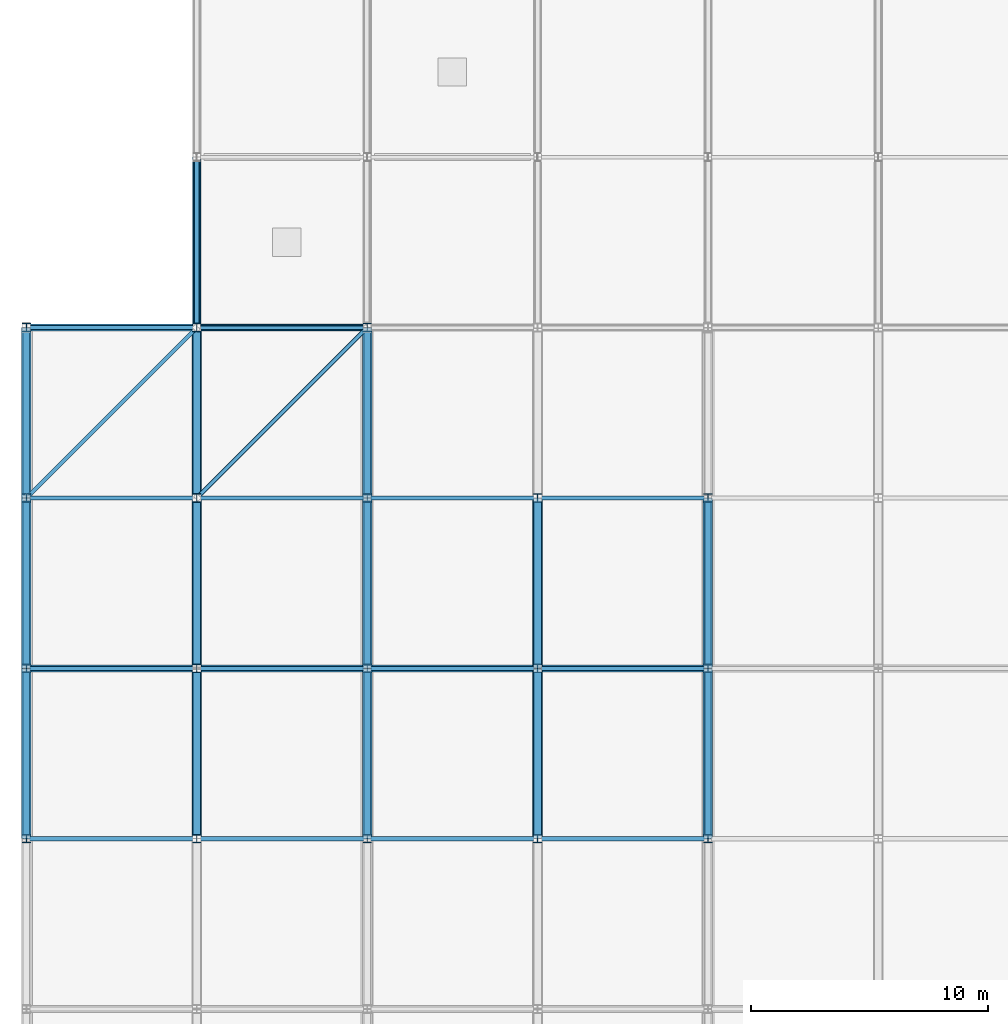
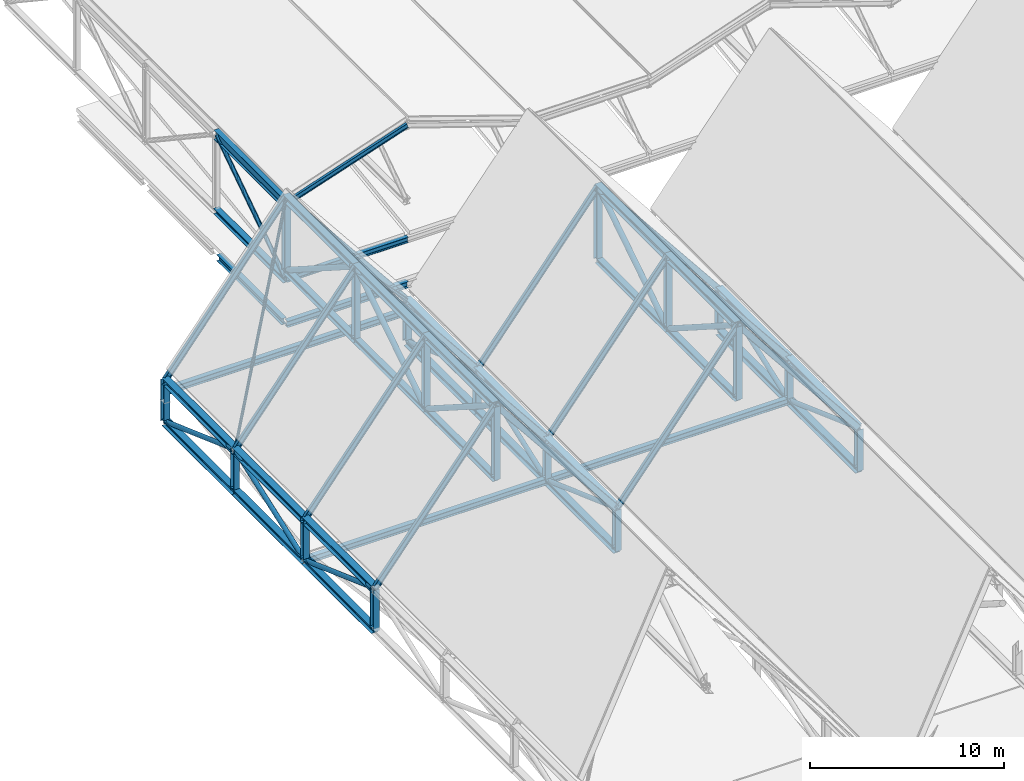
# One storey, part 23 of 60: 77 members, 6 beams.
"""IFC4 building model written with IfcOpenShell, lengths in metres."""

from ifc_helpers import new_model, si_unit, direction, frame, origin, origin_2d, place, context, subcontext, project, spatial, hollow_circle, i_section, extrude, material, material_profile, profile_set, type_object, element, save


model = new_model("IFC4")

# Units and contexts
model_context = context("Model", 3, precision=1e-05, world=origin(), true_north=direction((0.0, 1.0)))
body_context = subcontext(model_context, "Body", "Model", "MODEL_VIEW")
ifc_project = project(units=[si_unit("LENGTHUNIT", "METRE"), si_unit("AREAUNIT", "SQUARE_METRE"), si_unit("VOLUMEUNIT", "CUBIC_METRE"), si_unit("PLANEANGLEUNIT", "RADIAN"), si_unit("MASSUNIT", "GRAM", prefix="KILO")], contexts=[model_context])

# Site, building, storey
site_placement = place(None, origin())
site = spatial("IfcSite", under=ifc_project, at=site_placement, CompositionType="ELEMENT")
building_placement = place(site_placement, origin())
building = spatial("IfcBuilding", under=site, at=building_placement, Name="Vesperath Aquatics Centre", CompositionType="ELEMENT")
storey_placement = place(building_placement, frame((0.0, 0.0, 27.60009765625)))
storey = spatial("IfcBuildingStorey", under=building, at=storey_placement, Name="RF", CompositionType="ELEMENT", Elevation=27.60009765625)

# Beams
ifc_material_1 = material(Name="Steel Q355C", Category="steel")
ifc_material_profile_1 = material_profile(ifc_material_1, i_section(OverallWidth=0.300048828125, OverallDepth=0.389892578125, WebThickness=0.010009765625, FlangeThickness=0.01611328125, FilletRadius=0.02197265625, at=origin_2d()), Name="HM 390x300x10x16")
ifc_profile_set_1 = profile_set([ifc_material_profile_1], Name="Steel Q355C")
beam_type_1 = type_object("IfcBeamType", Name="BM-RB01", PredefinedType="BEAM", material=ifc_profile_set_1)
beam_1_placement = place(storey_placement, frame((7.2099609375, 86.39990234375, -8.755126953125), z_axis=(1.0, 0.0, 0.0), x_axis=(0.0, 1.0, 0.0)))
element("IfcBeam", 1, at=beam_1_placement, inside=storey, type_object=beam_type_1, Name="Flat Roof Girder B11 RF N 2-3", PredefinedType="BEAM", context=body_context, shape_type="SweptSolid", body=[
    extrude(i_section(OverallWidth=0.300048828125, OverallDepth=0.389892578125, WebThickness=0.010009765625, FlangeThickness=0.01611328125, FilletRadius=0.02197265625, at=origin_2d()), origin(), (0.0, 0.0, 1.0), 7.179931640625),
])
beam_2_placement = place(storey_placement, frame((7.199951171875, 86.614013671875, -8.755126953125), z_axis=(0.0, 1.0, 0.0), x_axis=(-1.0, 0.0, 0.0)))
element("IfcBeam", 2, at=beam_2_placement, inside=storey, type_object=beam_type_1, Name="Flat Roof Girder B11 RF 2 N-P", PredefinedType="BEAM", context=body_context, shape_type="SweptSolid", body=[
    extrude(i_section(OverallWidth=0.300048828125, OverallDepth=0.389892578125, WebThickness=0.010009765625, FlangeThickness=0.01611328125, FilletRadius=0.02197265625, at=origin_2d()), origin(), (0.0, 0.0, 1.0), 6.68603515625),
])
ifc_material_profile_2 = material_profile(ifc_material_1, i_section(OverallWidth=0.300048828125, OverallDepth=0.389892578125, WebThickness=0.010009765625, FlangeThickness=0.01611328125, FilletRadius=0.02197265625, at=origin_2d()), Name="HM 390x300x10x16")
ifc_profile_set_2 = profile_set([ifc_material_profile_2], Name="Steel Q355C")
beam_type_2 = type_object("IfcBeamType", Name="BM-RB02", PredefinedType="BEAM", material=ifc_profile_set_2)
beam_3_placement = place(storey_placement, frame((0.0, 72.0, -12.400146484375), z_axis=(1.0, 0.0, 0.0), x_axis=(0.0, 1.0, 0.0)))
element("IfcBeam", 3, at=beam_3_placement, inside=storey, type_object=beam_type_2, Name="Natatorium Roof Deck Support Beam B11 G1-72.0", PredefinedType="BEAM", context=body_context, shape_type="SweptSolid", body=[
    extrude(i_section(OverallWidth=0.300048828125, OverallDepth=0.389892578125, WebThickness=0.010009765625, FlangeThickness=0.01611328125, FilletRadius=0.02197265625, at=origin_2d()), origin(), (0.0, 0.0, 1.0), 14.39990234375),
])
beam_4_placement = place(storey_placement, frame((14.39990234375, 72.0, -12.400146484375), z_axis=(1.0, 0.0, 0.0), x_axis=(0.0, 1.0, 0.0)))
element("IfcBeam", 4, at=beam_4_placement, inside=storey, type_object=beam_type_2, Name="Natatorium Roof Deck Support Beam B11 G2-72.0", PredefinedType="BEAM", context=body_context, shape_type="SweptSolid", body=[
    extrude(i_section(OverallWidth=0.300048828125, OverallDepth=0.389892578125, WebThickness=0.010009765625, FlangeThickness=0.01611328125, FilletRadius=0.02197265625, at=origin_2d()), origin(), (0.0, 0.0, 1.0), 14.400146484375),
])
ifc_material_profile_3 = material_profile(ifc_material_1, i_section(OverallWidth=0.300048828125, OverallDepth=0.389892578125, WebThickness=0.010009765625, FlangeThickness=0.01611328125, FilletRadius=0.02197265625, at=origin_2d()), Name="HM 390x300x10x16")
ifc_profile_set_3 = profile_set([ifc_material_profile_3], Name="Steel Q355C")
beam_type_3 = type_object("IfcBeamType", Name="BM-RB03", PredefinedType="BEAM", material=ifc_profile_set_3)
beam_5_placement = place(storey_placement, frame((0.0, 86.39990234375, -10.478759765625), z_axis=(1.0, 0.0, 0.0), x_axis=(0.0, 1.0, 0.0)))
element("IfcBeam", 5, at=beam_5_placement, inside=storey, type_object=beam_type_3, Name="Natatorium Roof Deck Support Beam B11 G1-86.4", PredefinedType="BEAM", context=body_context, shape_type="SweptSolid", body=[
    extrude(i_section(OverallWidth=0.300048828125, OverallDepth=0.389892578125, WebThickness=0.010009765625, FlangeThickness=0.01611328125, FilletRadius=0.02197265625, at=origin_2d()), origin(), (0.0, 0.0, 1.0), 14.39990234375),
])
ifc_material_profile_4 = material_profile(ifc_material_1, i_section(OverallWidth=0.25, OverallDepth=0.340087890625, WebThickness=0.009033203125, FlangeThickness=0.013916015625, FilletRadius=0.02001953125, at=origin_2d()), Name="HM 340x250x9x14")
ifc_profile_set_4 = profile_set([ifc_material_profile_4], Name="Steel Q355C")
beam_type_4 = type_object("IfcBeamType", Name="BM-RB07", PredefinedType="BEAM", material=ifc_profile_set_4)
beam_6_placement = place(storey_placement, frame((7.199951171875, 86.39990234375, -5.9501953125), z_axis=(1.0, 0.0, 0.0), x_axis=(0.0, 1.0, 0.0)))
element("IfcBeam", 6, at=beam_6_placement, inside=storey, type_object=beam_type_4, Name="Diving Roof Support Beam B12 South 2", PredefinedType="BEAM", context=body_context, shape_type="SweptSolid", body=[
    extrude(i_section(OverallWidth=0.25, OverallDepth=0.340087890625, WebThickness=0.009033203125, FlangeThickness=0.013916015625, FilletRadius=0.02001953125, at=origin_2d()), origin(), (0.0, 0.0, 1.0), 7.199951171875),
])

# Members
ifc_material_2 = material(Name="Steel Q355D", Category="steel")
ifc_material_profile_5 = material_profile(ifc_material_2, i_section(OverallWidth=0.39990234375, OverallDepth=0.39990234375, WebThickness=0.012939453125, FlangeThickness=0.02099609375, FilletRadius=0.02197265625, at=origin_2d()), Name="HW 400x400x13x21")
ifc_profile_set_5 = profile_set([ifc_material_profile_5], Name="Steel Q355D")
member_type_1 = type_object("IfcMemberType", Name="MB-BC01", PredefinedType="CHORD", material=ifc_profile_set_5)
for number, where, z_axis, x_axis, name in (
    (7, (0.0, 64.800048828125, -12.400146484375), (0.0, 1.0, 0.0), (-1.0, 0.0, 0.0), "Natatorium ROOF TRUSS Bottom Chord BC01 G1-10"),
    (8, (0.0, 72.0, -12.400146484375), (0.0, 1.0, 0.0), (-1.0, 0.0, 0.0), "Natatorium ROOF TRUSS Bottom Chord BC01 G1-11"),
    (9, (0.0, 79.199951171875, -12.400146484375), (0.0, 1.0, 0.0), (-1.0, 0.0, 0.0), "Natatorium ROOF TRUSS Bottom Chord BC01 G1-12"),
    (10, (14.39990234375, 64.800048828125, -12.400146484375), (0.0, 1.0, 0.0), (-1.0, 0.0, 0.0), "Natatorium ROOF TRUSS Bottom Chord BC01 G3-10"),
    (11, (14.39990234375, 72.0, -12.400146484375), (0.0, 1.0, 0.0), (-1.0, 0.0, 0.0), "Natatorium ROOF TRUSS Bottom Chord BC01 G3-11"),
    (12, (14.39990234375, 79.199951171875, -12.400146484375), (0.0, 1.0, 0.0), (-1.0, 0.0, 0.0), "Natatorium ROOF TRUSS Bottom Chord BC01 G3-12"),
    (13, (28.800048828125, 64.800048828125, -12.400146484375), (0.0, 1.0, 0.0), (-1.0, 0.0, 0.0), "Natatorium ROOF TRUSS Bottom Chord BC01 G5-10"),
    (14, (28.800048828125, 72.0, -12.400146484375), (0.0, 1.0, 0.0), (-1.0, 0.0, 0.0), "Natatorium ROOF TRUSS Bottom Chord BC01 G5-11"),
):
    element("IfcMember", number, at=place(storey_placement, frame(where, z_axis=z_axis, x_axis=x_axis)), inside=storey, type_object=member_type_1, Name=name, PredefinedType="CHORD", context=body_context, shape_type="SweptSolid", body=[
        extrude(i_section(OverallWidth=0.39990234375, OverallDepth=0.39990234375, WebThickness=0.012939453125, FlangeThickness=0.02099609375, FilletRadius=0.02197265625, at=origin_2d()), origin(), (0.0, 0.0, 1.0), 7.199951171875),
    ])
ifc_material_profile_6 = material_profile(ifc_material_2, i_section(OverallWidth=0.35009765625, OverallDepth=0.35009765625, WebThickness=0.011962890625, FlangeThickness=0.01904296875, FilletRadius=0.02001953125, at=origin_2d()), Name="HW 350x350x12x19")
ifc_profile_set_6 = profile_set([ifc_material_profile_6], Name="Steel Q355D")
member_type_2 = type_object("IfcMemberType", Name="MB-BC02", PredefinedType="CHORD", material=ifc_profile_set_6)
for number, where, z_axis, x_axis, name in (
    (15, (7.199951171875, 64.800048828125, -5.400146484375), (0.0, 1.0, 0.0), (-1.0, 0.0, 0.0), "Natatorium ROOF TRUSS Bottom Chord BC02 G2-10"),
    (16, (7.199951171875, 72.0, -5.400146484375), (0.0, 1.0, 0.0), (-1.0, 0.0, 0.0), "Natatorium ROOF TRUSS Bottom Chord BC02 G2-11"),
    (17, (7.199951171875, 79.199951171875, -5.400146484375), (0.0, 1.0, 0.0), (-1.0, 0.0, 0.0), "Natatorium ROOF TRUSS Bottom Chord BC02 G2-12"),
    (18, (21.60009765625, 64.800048828125, -5.400146484375), (0.0, 1.0, 0.0), (-1.0, 0.0, 0.0), "Natatorium ROOF TRUSS Bottom Chord BC02 G4-10"),
    (19, (21.60009765625, 72.0, -5.400146484375), (0.0, 1.0, 0.0), (-1.0, 0.0, 0.0), "Natatorium ROOF TRUSS Bottom Chord BC02 G4-11"),
):
    element("IfcMember", number, at=place(storey_placement, frame(where, z_axis=z_axis, x_axis=x_axis)), inside=storey, type_object=member_type_2, Name=name, PredefinedType="CHORD", context=body_context, shape_type="SweptSolid", body=[
        extrude(i_section(OverallWidth=0.35009765625, OverallDepth=0.35009765625, WebThickness=0.011962890625, FlangeThickness=0.01904296875, FilletRadius=0.02001953125, at=origin_2d()), origin(), (0.0, 0.0, 1.0), 7.199951171875),
    ])
member_1_placement = place(storey_placement, frame((7.199951171875, 86.39990234375, -6.0), z_axis=(0.0, 1.0, 0.0), x_axis=(-1.0, 0.0, 0.0)))
element("IfcMember", 20, at=member_1_placement, inside=storey, type_object=member_type_2, Name="Diving ROOF TRUSS Bottom Chord BC02 G2-1", PredefinedType="CHORD", context=body_context, shape_type="SweptSolid", body=[
    extrude(i_section(OverallWidth=0.35009765625, OverallDepth=0.35009765625, WebThickness=0.011962890625, FlangeThickness=0.01904296875, FilletRadius=0.02001953125, at=origin_2d()), origin(), (0.0, 0.0, 1.0), 7.2001953125),
])
ifc_material_profile_7 = material_profile(ifc_material_2, hollow_circle(Radius=0.084228515625, WallThickness=0.008056640625, at=origin_2d()), Name="CHS 168.3x8")
ifc_profile_set_7 = profile_set([ifc_material_profile_7], Name="Steel Q355D")
member_type_3 = type_object("IfcMemberType", Name="MB-BR01", PredefinedType="BRACE", material=ifc_profile_set_7)
for number, where, z_axis, x_axis, name in (
    (21, (0.04248046875, 79.242431640625, -9.7470703125), (0.529812942826, 0.529812942826, 0.662266178533), (-0.707106781187, 0.707106781187, 0.0), "Natatorium Roof Brace BR01 B1-79"),
    (22, (7.242431640625, 79.242431640625, -0.85302734375), (0.529812942826, 0.529812942826, -0.662266178533), (-0.707106781187, 0.707106781187, 0.0), "Natatorium Roof Brace BR01 B2-79"),
):
    element("IfcMember", number, at=place(storey_placement, frame(where, z_axis=z_axis, x_axis=x_axis)), inside=storey, type_object=member_type_3, Name=name, PredefinedType="BRACE", context=body_context, shape_type="SweptSolid", body=[
        extrude(hollow_circle(Radius=0.084228515625, WallThickness=0.008056640625, at=origin_2d()), origin(), (0.0, 0.0, 1.0), 13.4296875),
    ])
ifc_material_profile_8 = material_profile(ifc_material_1, i_section(OverallWidth=0.175048828125, OverallDepth=0.35009765625, WebThickness=0.007080078125, FlangeThickness=0.010986328125, FilletRadius=0.012939453125, at=origin_2d()), Name="HN 350x175x7x11")
ifc_profile_set_8 = profile_set([ifc_material_profile_8], Name="Steel Q355C")
member_type_4 = type_object("IfcMemberType", Name="MB-PR01", PredefinedType="PURLIN", material=ifc_profile_set_8)
for number, where, z_axis, x_axis, name in (
    (23, (0.0, 64.800048828125, -9.800048828125), (0.624692464322, 0.0, 0.780870876022), (0.0, 1.0, 0.0), "Natatorium Roof Purlin PR01 B1-8"),
    (24, (0.0, 72.0, -9.800048828125), (0.624692464322, 0.0, 0.780870876022), (0.0, 1.0, 0.0), "Natatorium Roof Purlin PR01 B1-9"),
    (25, (0.0, 79.199951171875, -9.800048828125), (0.624692464322, 0.0, 0.780870876022), (0.0, 1.0, 0.0), "Natatorium Roof Purlin PR01 B1-10"),
    (26, (0.0, 86.39990234375, -9.800048828125), (0.624692464322, 0.0, 0.780870876022), (0.0, 1.0, 0.0), "Natatorium Roof Purlin PR01 B1-11"),
    (27, (7.199951171875, 64.800048828125, -0.800048828125), (0.624692464322, 0.0, -0.780870876022), (0.0, 1.0, 0.0), "Natatorium Roof Purlin PR01 B2-8"),
    (28, (7.199951171875, 72.0, -0.800048828125), (0.624692464322, 0.0, -0.780870876022), (0.0, 1.0, 0.0), "Natatorium Roof Purlin PR01 B2-9"),
    (29, (7.199951171875, 79.199951171875, -0.800048828125), (0.624692464322, 0.0, -0.780870876022), (0.0, 1.0, 0.0), "Natatorium Roof Purlin PR01 B2-10"),
    (30, (7.199951171875, 86.39990234375, -0.800048828125), (0.624692464322, 0.0, -0.780870876022), (0.0, 1.0, 0.0), "Natatorium Roof Purlin PR01 B2-11"),
    (31, (14.39990234375, 64.800048828125, -9.800048828125), (0.624705380279, 0.0, 0.780860543151), (0.0, 1.0, 0.0), "Natatorium Roof Purlin PR01 B3-8"),
    (32, (14.39990234375, 72.0, -9.800048828125), (0.624705380279, 0.0, 0.780860543151), (0.0, 1.0, 0.0), "Natatorium Roof Purlin PR01 B3-9"),
    (33, (14.39990234375, 79.199951171875, -9.800048828125), (0.624705380279, 0.0, 0.780860543151), (0.0, 1.0, 0.0), "Natatorium Roof Purlin PR01 B3-10"),
    (34, (21.60009765625, 64.800048828125, -0.800048828125), (0.624692464322, 0.0, -0.780870876022), (0.0, 1.0, 0.0), "Natatorium Roof Purlin PR01 B4-8"),
    (35, (21.60009765625, 72.0, -0.800048828125), (0.624692464322, 0.0, -0.780870876022), (0.0, 1.0, 0.0), "Natatorium Roof Purlin PR01 B4-9"),
    (36, (21.60009765625, 79.199951171875, -0.800048828125), (0.624692464322, 0.0, -0.780870876022), (0.0, 1.0, 0.0), "Natatorium Roof Purlin PR01 B4-10"),
):
    element("IfcMember", number, at=place(storey_placement, frame(where, z_axis=z_axis, x_axis=x_axis)), inside=storey, type_object=member_type_4, Name=name, PredefinedType="PURLIN", context=body_context, shape_type="SweptSolid", body=[
        extrude(i_section(OverallWidth=0.175048828125, OverallDepth=0.35009765625, WebThickness=0.007080078125, FlangeThickness=0.010986328125, FilletRadius=0.012939453125, at=origin_2d()), origin(), (0.0, 0.0, 1.0), 11.525634765625),
    ])
ifc_material_profile_9 = material_profile(ifc_material_1, i_section(OverallWidth=0.14990234375, OverallDepth=0.300048828125, WebThickness=0.006591796875, FlangeThickness=0.009033203125, FilletRadius=0.012939453125, at=origin_2d()), Name="HN 300x150x6.5x9")
ifc_profile_set_9 = profile_set([ifc_material_profile_9], Name="Steel Q355C")
member_type_5 = type_object("IfcMemberType", Name="MB-PR02", PredefinedType="PURLIN", material=ifc_profile_set_9)
member_2_placement = place(storey_placement, frame((7.199951171875, 86.39990234375, -1.2001953125), z_axis=(0.948676864184, 0.0, 0.316247066962), x_axis=(0.0, 1.0, 0.0)))
element("IfcMember", 37, at=member_2_placement, inside=storey, type_object=member_type_5, Name="Diving Roof Purlin PR02 2-1", PredefinedType="PURLIN", context=body_context, shape_type="SweptSolid", body=[
    extrude(i_section(OverallWidth=0.14990234375, OverallDepth=0.300048828125, WebThickness=0.006591796875, FlangeThickness=0.009033203125, FilletRadius=0.012939453125, at=origin_2d()), origin(), (0.0, 0.0, 1.0), 7.58935546875),
])
ifc_material_profile_10 = material_profile(ifc_material_2, i_section(OverallWidth=0.406982421875, OverallDepth=0.427978515625, WebThickness=0.02001953125, FlangeThickness=0.034912109375, FilletRadius=0.02197265625, at=origin_2d()), Name="HW 428x407x20x35")
ifc_profile_set_10 = profile_set([ifc_material_profile_10], Name="Steel Q355D")
member_type_6 = type_object("IfcMemberType", Name="MB-TC01", PredefinedType="CHORD", material=ifc_profile_set_10)
for number, where, z_axis, x_axis, name in (
    (38, (7.199951171875, 64.800048828125, -0.800048828125), (0.0, 1.0, 0.0), (-1.0, 0.0, 0.0), "Natatorium ROOF TRUSS Top Chord TC01 G2-10"),
    (39, (7.199951171875, 72.0, -0.800048828125), (0.0, 1.0, 0.0), (-1.0, 0.0, 0.0), "Natatorium ROOF TRUSS Top Chord TC01 G2-11"),
    (40, (7.199951171875, 79.199951171875, -0.800048828125), (0.0, 1.0, 0.0), (-1.0, 0.0, 0.0), "Natatorium ROOF TRUSS Top Chord TC01 G2-12"),
    (41, (21.60009765625, 64.800048828125, -0.800048828125), (0.0, 1.0, 0.0), (-1.0, 0.0, 0.0), "Natatorium ROOF TRUSS Top Chord TC01 G4-10"),
    (42, (21.60009765625, 72.0, -0.800048828125), (0.0, 1.0, 0.0), (-1.0, 0.0, 0.0), "Natatorium ROOF TRUSS Top Chord TC01 G4-11"),
):
    element("IfcMember", number, at=place(storey_placement, frame(where, z_axis=z_axis, x_axis=x_axis)), inside=storey, type_object=member_type_6, Name=name, PredefinedType="CHORD", context=body_context, shape_type="SweptSolid", body=[
        extrude(i_section(OverallWidth=0.406982421875, OverallDepth=0.427978515625, WebThickness=0.02001953125, FlangeThickness=0.034912109375, FilletRadius=0.02197265625, at=origin_2d()), origin(), (0.0, 0.0, 1.0), 7.199951171875),
    ])
ifc_material_profile_11 = material_profile(ifc_material_2, i_section(OverallWidth=0.39990234375, OverallDepth=0.39990234375, WebThickness=0.012939453125, FlangeThickness=0.02099609375, FilletRadius=0.02197265625, at=origin_2d()), Name="HW 400x400x13x21")
ifc_profile_set_11 = profile_set([ifc_material_profile_11], Name="Steel Q355D")
member_type_7 = type_object("IfcMemberType", Name="MB-TC02", PredefinedType="CHORD", material=ifc_profile_set_11)
for number, where, z_axis, x_axis, name in (
    (43, (0.0, 64.800048828125, -9.800048828125), (0.0, 1.0, 0.0), (-1.0, 0.0, 0.0), "Natatorium ROOF TRUSS Top Chord TC02 G1-10"),
    (44, (0.0, 72.0, -9.800048828125), (0.0, 1.0, 0.0), (-1.0, 0.0, 0.0), "Natatorium ROOF TRUSS Top Chord TC02 G1-11"),
    (45, (0.0, 79.199951171875, -9.800048828125), (0.0, 1.0, 0.0), (-1.0, 0.0, 0.0), "Natatorium ROOF TRUSS Top Chord TC02 G1-12"),
    (46, (14.39990234375, 64.800048828125, -9.800048828125), (0.0, 1.0, 0.0), (-1.0, 0.0, 0.0), "Natatorium ROOF TRUSS Top Chord TC02 G3-10"),
    (47, (14.39990234375, 72.0, -9.800048828125), (0.0, 1.0, 0.0), (-1.0, 0.0, 0.0), "Natatorium ROOF TRUSS Top Chord TC02 G3-11"),
    (48, (14.39990234375, 79.199951171875, -9.800048828125), (0.0, 1.0, 0.0), (-1.0, 0.0, 0.0), "Natatorium ROOF TRUSS Top Chord TC02 G3-12"),
    (49, (28.800048828125, 64.800048828125, -9.800048828125), (0.0, 1.0, 0.0), (-1.0, 0.0, 0.0), "Natatorium ROOF TRUSS Top Chord TC02 G5-10"),
    (50, (28.800048828125, 72.0, -9.800048828125), (0.0, 1.0, 0.0), (-1.0, 0.0, 0.0), "Natatorium ROOF TRUSS Top Chord TC02 G5-11"),
):
    element("IfcMember", number, at=place(storey_placement, frame(where, z_axis=z_axis, x_axis=x_axis)), inside=storey, type_object=member_type_7, Name=name, PredefinedType="CHORD", context=body_context, shape_type="SweptSolid", body=[
        extrude(i_section(OverallWidth=0.39990234375, OverallDepth=0.39990234375, WebThickness=0.012939453125, FlangeThickness=0.02099609375, FilletRadius=0.02197265625, at=origin_2d()), origin(), (0.0, 0.0, 1.0), 7.199951171875),
    ])
ifc_material_profile_12 = material_profile(ifc_material_2, i_section(OverallWidth=0.300048828125, OverallDepth=0.587890625, WebThickness=0.011962890625, FlangeThickness=0.02001953125, FilletRadius=0.028076171875, at=origin_2d()), Name="HM 588x300x12x20")
ifc_profile_set_12 = profile_set([ifc_material_profile_12], Name="Steel Q355D")
member_type_8 = type_object("IfcMemberType", Name="MB-TC03", PredefinedType="CHORD", material=ifc_profile_set_12)
member_3_placement = place(storey_placement, frame((7.199951171875, 86.39990234375, -1.2001953125), z_axis=(0.0, 1.0, 0.0), x_axis=(-1.0, 0.0, 0.0)))
element("IfcMember", 51, at=member_3_placement, inside=storey, type_object=member_type_8, Name="Diving ROOF TRUSS Top Chord TC03 G2-1", PredefinedType="CHORD", context=body_context, shape_type="SweptSolid", body=[
    extrude(i_section(OverallWidth=0.300048828125, OverallDepth=0.587890625, WebThickness=0.011962890625, FlangeThickness=0.02001953125, FilletRadius=0.028076171875, at=origin_2d()), origin(), (0.0, 0.0, 1.0), 7.2001953125),
])
ifc_material_profile_13 = material_profile(ifc_material_2, hollow_circle(Radius=0.161865234375, WallThickness=0.013916015625, at=origin_2d()), Name="CHS 323.9x14")
ifc_profile_set_13 = profile_set([ifc_material_profile_13], Name="Steel Q355D")
member_type_9 = type_object("IfcMemberType", Name="MB-TD01", PredefinedType="BRACE", material=ifc_profile_set_13)
for number, where, z_axis, x_axis, name in (
    (52, (7.199951171875, 64.867431640625, -0.84326171875), (0.0, 0.84270690245, -0.538372618698), (-1.0, 0.0, 0.0), "Natatorium ROOF TRUSS Diagonal TD01 G2-10"),
    (53, (7.199951171875, 72.0673828125, -5.35693359375), (0.0, 0.84270690245, 0.538372618698), (-1.0, 0.0, 0.0), "Natatorium ROOF TRUSS Diagonal TD01 G2-11"),
    (54, (7.199951171875, 79.267333984375, -0.84326171875), (0.0, 0.84270690245, -0.538372618698), (-1.0, 0.0, 0.0), "Natatorium ROOF TRUSS Diagonal TD01 G2-12"),
    (55, (21.60009765625, 64.867431640625, -0.84326171875), (0.0, 0.84270690245, -0.538372618698), (-1.0, 0.0, 0.0), "Natatorium ROOF TRUSS Diagonal TD01 G4-10"),
    (56, (21.60009765625, 72.0673828125, -5.35693359375), (0.0, 0.84270690245, 0.538372618698), (-1.0, 0.0, 0.0), "Natatorium ROOF TRUSS Diagonal TD01 G4-11"),
):
    element("IfcMember", number, at=place(storey_placement, frame(where, z_axis=z_axis, x_axis=x_axis)), inside=storey, type_object=member_type_9, Name=name, PredefinedType="BRACE", context=body_context, shape_type="SweptSolid", body=[
        extrude(hollow_circle(Radius=0.161865234375, WallThickness=0.013916015625, at=origin_2d()), origin(), (0.0, 0.0, 1.0), 8.384033203125),
    ])
ifc_material_profile_14 = material_profile(ifc_material_2, hollow_circle(Radius=0.136474609375, WallThickness=0.011962890625, at=origin_2d()), Name="CHS 273.0x12")
ifc_profile_set_14 = profile_set([ifc_material_profile_14], Name="Steel Q355D")
member_type_10 = type_object("IfcMemberType", Name="MB-TD02", PredefinedType="BRACE", material=ifc_profile_set_14)
for number, where, z_axis, x_axis, name in (
    (57, (0.0, 64.875244140625, -9.8271484375), (0.0, 0.940544360889, -0.339670877761), (-1.0, 0.0, 0.0), "Natatorium ROOF TRUSS Diagonal TD02 G1-10"),
    (58, (0.0, 72.0751953125, -12.373046875), (0.0, 0.940544360889, 0.339670877761), (-1.0, 0.0, 0.0), "Natatorium ROOF TRUSS Diagonal TD02 G1-11"),
    (59, (0.0, 79.275146484375, -9.8271484375), (0.0, 0.940544360889, -0.339670877761), (-1.0, 0.0, 0.0), "Natatorium ROOF TRUSS Diagonal TD02 G1-12"),
    (60, (14.39990234375, 64.875244140625, -9.8271484375), (0.0, 0.940544360889, -0.339670877761), (-1.0, 0.0, 0.0), "Natatorium ROOF TRUSS Diagonal TD02 G3-10"),
    (61, (14.39990234375, 72.0751953125, -12.373046875), (0.0, 0.940544360889, 0.339670877761), (-1.0, 0.0, 0.0), "Natatorium ROOF TRUSS Diagonal TD02 G3-11"),
    (62, (14.39990234375, 79.275146484375, -9.8271484375), (0.0, 0.940544360889, -0.339670877761), (-1.0, 0.0, 0.0), "Natatorium ROOF TRUSS Diagonal TD02 G3-12"),
    (63, (28.800048828125, 64.875244140625, -9.8271484375), (0.0, 0.940544360889, -0.339670877761), (-1.0, 0.0, 0.0), "Natatorium ROOF TRUSS Diagonal TD02 G5-10"),
    (64, (28.800048828125, 72.0751953125, -12.373046875), (0.0, 0.940544360889, 0.339670877761), (-1.0, 0.0, 0.0), "Natatorium ROOF TRUSS Diagonal TD02 G5-11"),
):
    element("IfcMember", number, at=place(storey_placement, frame(where, z_axis=z_axis, x_axis=x_axis)), inside=storey, type_object=member_type_10, Name=name, PredefinedType="BRACE", context=body_context, shape_type="SweptSolid", body=[
        extrude(hollow_circle(Radius=0.136474609375, WallThickness=0.011962890625, at=origin_2d()), origin(), (0.0, 0.0, 1.0), 7.4951171875),
    ])
ifc_material_profile_15 = material_profile(ifc_material_2, hollow_circle(Radius=0.122314453125, WallThickness=0.011962890625, at=origin_2d()), Name="CHS 244.5x12")
ifc_profile_set_15 = profile_set([ifc_material_profile_15], Name="Steel Q355D")
member_type_11 = type_object("IfcMemberType", Name="MB-TD03", PredefinedType="BRACE", material=ifc_profile_set_15)
member_4_placement = place(storey_placement, frame((7.199951171875, 86.466552734375, -5.955810546875), z_axis=(0.0, 0.832041449737, 0.554713462897), x_axis=(-1.0, 0.0, 0.0)))
element("IfcMember", 65, at=member_4_placement, inside=storey, type_object=member_type_11, Name="Diving ROOF TRUSS Diagonal TD03 G2-1", PredefinedType="BRACE", context=body_context, shape_type="SweptSolid", body=[
    extrude(hollow_circle(Radius=0.122314453125, WallThickness=0.011962890625, at=origin_2d()), origin(), (0.0, 0.0, 1.0), 8.493408203125),
])
ifc_material_profile_16 = material_profile(ifc_material_2, i_section(OverallWidth=0.35009765625, OverallDepth=0.35009765625, WebThickness=0.011962890625, FlangeThickness=0.01904296875, FilletRadius=0.02001953125, at=origin_2d()), Name="HW 350x350x12x19")
ifc_profile_set_16 = profile_set([ifc_material_profile_16], Name="Steel Q355D")
member_type_12 = type_object("IfcMemberType", Name="MB-TP01", PredefinedType="POST", material=ifc_profile_set_16)
for number, where, z_axis, x_axis, name in (
    (66, (0.0, 64.800048828125, -12.400146484375), (0.0, 0.0, 1.0), (1.0, 0.0, 0.0), "Natatorium ROOF TRUSS Post TP01 G1-10"),
    (67, (0.0, 72.0, -12.400146484375), (0.0, 0.0, 1.0), (1.0, 0.0, 0.0), "Natatorium ROOF TRUSS Post TP01 G1-11"),
    (68, (0.0, 79.199951171875, -12.400146484375), (0.0, 0.0, 1.0), (1.0, 0.0, 0.0), "Natatorium ROOF TRUSS Post TP01 G1-12"),
    (69, (0.0, 86.39990234375, -12.400146484375), (0.0, 0.0, 1.0), (1.0, 0.0, 0.0), "Natatorium ROOF TRUSS Post TP01 G1-13"),
):
    element("IfcMember", number, at=place(storey_placement, frame(where, z_axis=z_axis, x_axis=x_axis)), inside=storey, type_object=member_type_12, Name=name, PredefinedType="POST", context=body_context, shape_type="SweptSolid", body=[
        extrude(i_section(OverallWidth=0.35009765625, OverallDepth=0.35009765625, WebThickness=0.011962890625, FlangeThickness=0.01904296875, FilletRadius=0.02001953125, at=origin_2d()), origin(), (0.0, 0.0, 1.0), 2.60009765625),
    ])
for number, where, z_axis, x_axis, name in (
    (70, (7.199951171875, 64.800048828125, -5.400146484375), (0.0, 0.0, 1.0), (1.0, 0.0, 0.0), "Natatorium ROOF TRUSS Post TP01 G2-10"),
    (71, (7.199951171875, 72.0, -5.400146484375), (0.0, 0.0, 1.0), (1.0, 0.0, 0.0), "Natatorium ROOF TRUSS Post TP01 G2-11"),
    (72, (7.199951171875, 79.199951171875, -5.400146484375), (0.0, 0.0, 1.0), (1.0, 0.0, 0.0), "Natatorium ROOF TRUSS Post TP01 G2-12"),
    (73, (7.199951171875, 86.39990234375, -5.400146484375), (0.0, 0.0, 1.0), (1.0, 0.0, 0.0), "Natatorium ROOF TRUSS Post TP01 G2-13"),
):
    element("IfcMember", number, at=place(storey_placement, frame(where, z_axis=z_axis, x_axis=x_axis)), inside=storey, type_object=member_type_12, Name=name, PredefinedType="POST", context=body_context, shape_type="SweptSolid", body=[
        extrude(i_section(OverallWidth=0.35009765625, OverallDepth=0.35009765625, WebThickness=0.011962890625, FlangeThickness=0.01904296875, FilletRadius=0.02001953125, at=origin_2d()), origin(), (0.0, 0.0, 1.0), 4.60009765625),
    ])
for number, where, z_axis, x_axis, name in (
    (74, (14.39990234375, 64.800048828125, -12.400146484375), (0.0, 0.0, 1.0), (1.0, 0.0, 0.0), "Natatorium ROOF TRUSS Post TP01 G3-10"),
    (75, (14.39990234375, 72.0, -12.400146484375), (0.0, 0.0, 1.0), (1.0, 0.0, 0.0), "Natatorium ROOF TRUSS Post TP01 G3-11"),
    (76, (14.39990234375, 79.199951171875, -12.400146484375), (0.0, 0.0, 1.0), (1.0, 0.0, 0.0), "Natatorium ROOF TRUSS Post TP01 G3-12"),
    (77, (14.39990234375, 86.39990234375, -12.400146484375), (0.0, 0.0, 1.0), (1.0, 0.0, 0.0), "Natatorium ROOF TRUSS Post TP01 G3-13"),
):
    element("IfcMember", number, at=place(storey_placement, frame(where, z_axis=z_axis, x_axis=x_axis)), inside=storey, type_object=member_type_12, Name=name, PredefinedType="POST", context=body_context, shape_type="SweptSolid", body=[
        extrude(i_section(OverallWidth=0.35009765625, OverallDepth=0.35009765625, WebThickness=0.011962890625, FlangeThickness=0.01904296875, FilletRadius=0.02001953125, at=origin_2d()), origin(), (0.0, 0.0, 1.0), 2.60009765625),
    ])
for number, where, z_axis, x_axis, name in (
    (78, (21.60009765625, 64.800048828125, -5.400146484375), (0.0, 0.0, 1.0), (1.0, 0.0, 0.0), "Natatorium ROOF TRUSS Post TP01 G4-10"),
    (79, (21.60009765625, 72.0, -5.400146484375), (0.0, 0.0, 1.0), (1.0, 0.0, 0.0), "Natatorium ROOF TRUSS Post TP01 G4-11"),
    (80, (21.60009765625, 79.199951171875, -5.400146484375), (0.0, 0.0, 1.0), (1.0, 0.0, 0.0), "Natatorium ROOF TRUSS Post TP01 G4-12"),
):
    element("IfcMember", number, at=place(storey_placement, frame(where, z_axis=z_axis, x_axis=x_axis)), inside=storey, type_object=member_type_12, Name=name, PredefinedType="POST", context=body_context, shape_type="SweptSolid", body=[
        extrude(i_section(OverallWidth=0.35009765625, OverallDepth=0.35009765625, WebThickness=0.011962890625, FlangeThickness=0.01904296875, FilletRadius=0.02001953125, at=origin_2d()), origin(), (0.0, 0.0, 1.0), 4.60009765625),
    ])
for number, where, z_axis, x_axis, name in (
    (81, (28.800048828125, 64.800048828125, -12.400146484375), (0.0, 0.0, 1.0), (1.0, 0.0, 0.0), "Natatorium ROOF TRUSS Post TP01 G5-10"),
    (82, (28.800048828125, 72.0, -12.400146484375), (0.0, 0.0, 1.0), (1.0, 0.0, 0.0), "Natatorium ROOF TRUSS Post TP01 G5-11"),
    (83, (28.800048828125, 79.199951171875, -12.400146484375), (0.0, 0.0, 1.0), (1.0, 0.0, 0.0), "Natatorium ROOF TRUSS Post TP01 G5-12"),
):
    element("IfcMember", number, at=place(storey_placement, frame(where, z_axis=z_axis, x_axis=x_axis)), inside=storey, type_object=member_type_12, Name=name, PredefinedType="POST", context=body_context, shape_type="SweptSolid", body=[
        extrude(i_section(OverallWidth=0.35009765625, OverallDepth=0.35009765625, WebThickness=0.011962890625, FlangeThickness=0.01904296875, FilletRadius=0.02001953125, at=origin_2d()), origin(), (0.0, 0.0, 1.0), 2.60009765625),
    ])

save(model, "model.ifc")
